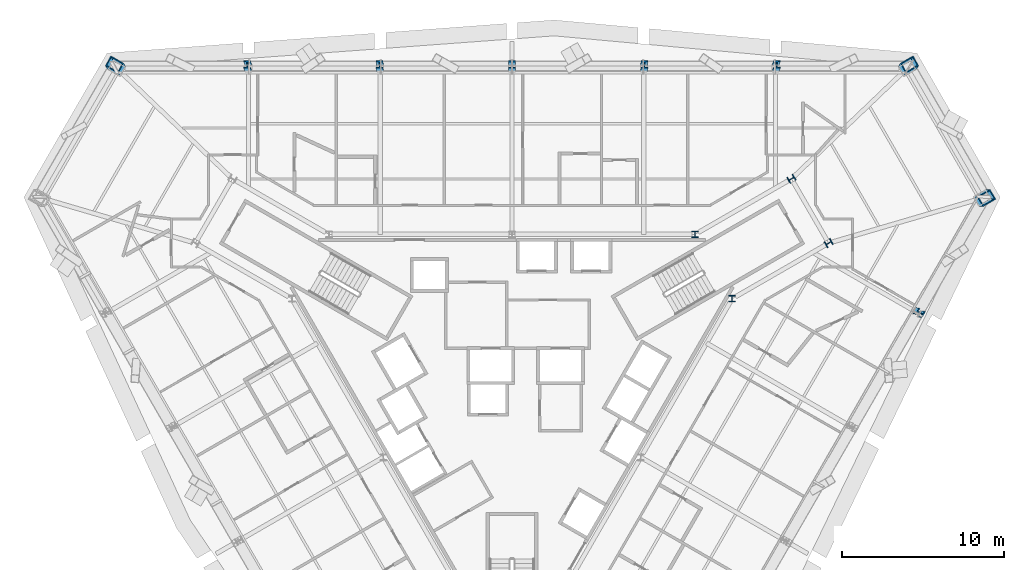
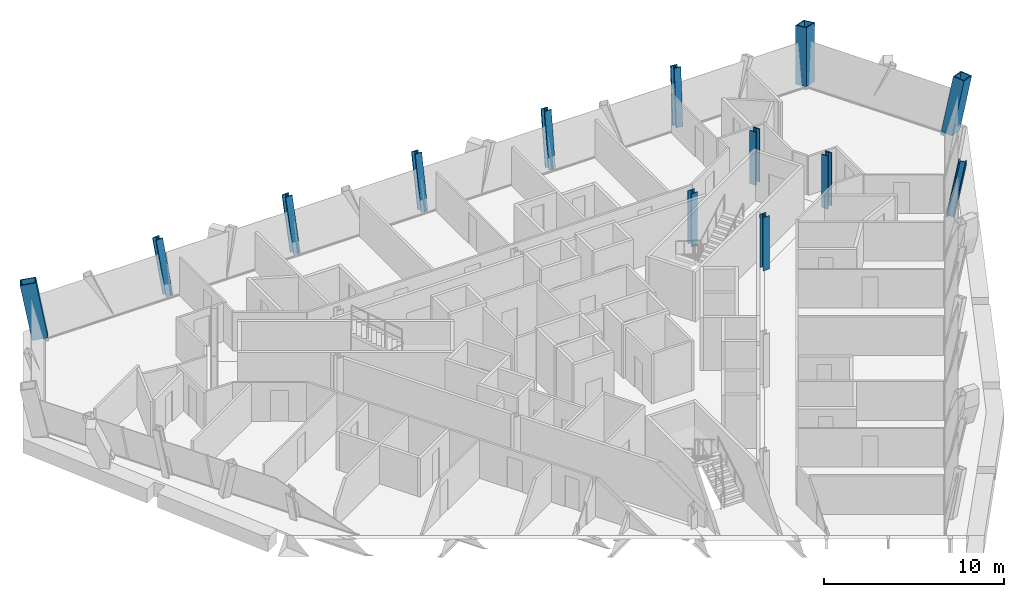
# One storey, part 2 of 14: 13 columns.
"""IFC4 building model written with IfcOpenShell, lengths in metres."""

import ifcopenshell
import ifcopenshell.guid

model = None  # the IFC model being written
_history = None  # IfcOwnerHistory: only IFC2X3 demands one
_inside = {}  # id of a spatial element -> (the spatial element, [elements in it])
_under = {}  # id of a project, library or spatial element -> (it, [spatial elements below it])
_declared = {}  # id of a project -> (the project, [libraries it declares])
_typed = {}  # id of a type object -> (the type object, [elements of that type])
_made_of = {}  # id of a material, layer set ... -> (it, [elements and type objects made of it])


def new_model(schema):
    """Start an empty IFC model of exactly this schema.

    Asked for "IFC4X3", IfcOpenShell would pick the latest addendum, in which some entities
    have other attributes; the version numbers below select the first issue.
    IFC2X3 requires an IfcOwnerHistory on every rooted entity: one is made here for all.
    """
    global model, _history
    if schema == "IFC4X3":
        model = ifcopenshell.file(schema_version=(4, 3, 0, 0))
    else:
        model = ifcopenshell.file(schema=schema)
    _inside.clear()
    _under.clear()
    _declared.clear()
    _typed.clear()
    _made_of.clear()
    _history = None
    if model.schema == "IFC2X3":
        org = make("IfcOrganization", Name="unknown")
        user = make(
            "IfcPersonAndOrganization",
            ThePerson=make("IfcPerson", FamilyName="unknown"),
            TheOrganization=org,
        )
        app = make(
            "IfcApplication",
            ApplicationDeveloper=org,
            Version="unknown",
            ApplicationFullName="unknown",
            ApplicationIdentifier="unknown",
        )
        _history = make(
            "IfcOwnerHistory",
            OwningUser=user,
            OwningApplication=app,
            ChangeAction="ADDED",
            CreationDate=0,
        )
    return model


def make(cls, **values):
    """One entity of the class cls with the attributes given. An attribute that is None is left unset."""
    return model.create_entity(
        cls, **{name: value for name, value in values.items() if value is not None}
    )


def rooted(cls, **values):
    """An entity with a GlobalId (a new one), such as an element, a storey or a relation."""
    return make(cls, GlobalId=ifcopenshell.guid.new(), OwnerHistory=_history, **values)


def si_unit(unit_type, name, prefix=None):
    """IfcSIUnit, for example si_unit("LENGTHUNIT", "METRE", prefix="MILLI")."""
    return make("IfcSIUnit", UnitType=unit_type, Prefix=prefix, Name=name)


def assignment(units):
    """IfcUnitAssignment: the units of a project."""
    return None if units is None else make("IfcUnitAssignment", Units=units)


def point(xyz):
    """IfcCartesianPoint."""
    return None if xyz is None else make("IfcCartesianPoint", Coordinates=xyz)


def direction(xyz):
    """IfcDirection."""
    return None if xyz is None else make("IfcDirection", DirectionRatios=xyz)


def frame(location, z_axis=None, x_axis=None):
    """IfcAxis2Placement3D, a coordinate frame: its origin and axes. An axis left out is left unset."""
    return make(
        "IfcAxis2Placement3D",
        Location=point(location),
        Axis=direction(z_axis),
        RefDirection=direction(x_axis),
    )


def frame_2d(location, x_axis=None):
    """IfcAxis2Placement2D, a coordinate frame in the plane: its origin and x axis."""
    return make(
        "IfcAxis2Placement2D", Location=point(location), RefDirection=direction(x_axis)
    )


def origin():
    """The frame at (0, 0, 0) with its axes left unset."""
    return frame((0.0, 0.0, 0.0))


def origin_2d():
    """The frame at (0, 0) in the plane with its x axis left unset."""
    return frame_2d((0.0, 0.0))


def place(relative_to, where):
    """IfcLocalPlacement: puts the frame where relative to a parent placement (None: the world)."""
    return make(
        "IfcLocalPlacement", PlacementRelTo=relative_to, RelativePlacement=where
    )


def context(
    kind, dimensions, precision=None, world=None, true_north=None, identifier=None
):
    """IfcGeometricRepresentationContext, for example the 3D "Model" context."""
    return make(
        "IfcGeometricRepresentationContext",
        ContextIdentifier=identifier,
        ContextType=kind,
        CoordinateSpaceDimension=dimensions,
        Precision=precision,
        WorldCoordinateSystem=world,
        TrueNorth=true_north,
    )


def subcontext(parent, identifier, kind, view, scale=None):
    """IfcGeometricRepresentationSubContext, for example "Body" below "Model"."""
    return make(
        "IfcGeometricRepresentationSubContext",
        ContextIdentifier=identifier,
        ContextType=kind,
        ParentContext=parent,
        TargetScale=scale,
        TargetView=view,
    )


def project(units=None, contexts=None):
    """IfcProject with its units and contexts."""
    return rooted(
        "IfcProject",
        Name="project",
        RepresentationContexts=contexts,
        UnitsInContext=assignment(units),
    )


def spatial(cls, under=None, at=None, **own):
    """A site, building, storey or space (cls), placed at a placement, below another one or the project."""
    s = rooted(cls, ObjectPlacement=at, **own)
    if under is not None:
        _under.setdefault(under.id(), (under, []))[1].append(s)
    return s


def profile(cls, at=None, kind="AREA", **sizes):
    """A parametric profile (cls). Its sizes go by their IFC names, for example OverallWidth=200.0."""
    return make(cls, ProfileType=kind, Position=at, **sizes)


def hollow_rectangle(**sizes):
    """IfcRectangleHollowProfileDef."""
    return profile("IfcRectangleHollowProfileDef", **sizes)


def i_section(**sizes):
    """IfcIShapeProfileDef."""
    return profile("IfcIShapeProfileDef", **sizes)


def extrude(swept, where, along, depth):
    """IfcExtrudedAreaSolid: the profile swept, set in the frame where, extruded along a direction by depth."""
    return make(
        "IfcExtrudedAreaSolid",
        SweptArea=swept,
        Position=where,
        ExtrudedDirection=direction(along),
        Depth=depth,
    )


def shape(context_of_items, identifier, shape_type, items):
    """IfcShapeRepresentation: the items that make up one representation, for example the "Body"."""
    return make(
        "IfcShapeRepresentation",
        ContextOfItems=context_of_items,
        RepresentationIdentifier=identifier,
        RepresentationType=shape_type,
        Items=items,
    )


def material(Name=None, Category=None):
    """IfcMaterial."""
    return make("IfcMaterial", Name=Name, Category=Category)


def material_profile(
    of_material, cross_section, Name=None, Category=None, Priority=None
):
    """IfcMaterialProfile: a cross section and its material."""
    return make(
        "IfcMaterialProfile",
        Name=Name,
        Material=of_material,
        Profile=cross_section,
        Priority=Priority,
        Category=Category,
    )


def profile_set(profiles, Name=None, composite=None):
    """IfcMaterialProfileSet."""
    return make(
        "IfcMaterialProfileSet",
        Name=Name,
        MaterialProfiles=profiles,
        CompositeProfile=composite,
    )


def made_of(thing, what):
    """Note that an element or type object is made of a material, layer set ...; save() writes the relation."""
    if what is not None:
        _made_of.setdefault(what.id(), (what, []))[1].append(thing)
    return thing


def type_object(cls, material=None, **own):
    """A type object (cls), such as IfcWallType, which elements share."""
    return made_of(rooted(cls, **own), material)


def element(
    cls,
    number,
    at=None,
    inside=None,
    cuts=None,
    type_object=None,
    material=None,
    context=None,
    identifier="Body",
    shape_type=None,
    held_by="IfcProductDefinitionShape",
    body=None,
    shapes=None,
    **own,
):
    """One element of the class cls, such as IfcWall. Its Tag is "e" and its number.

    at: its placement. inside: the storey or other place that contains it. cuts: it is an
    opening in that element (IfcRelVoidsElement). A single representation is given by context,
    identifier, shape_type and body (its items); several are given by shapes. held_by: the class
    of the entity that holds the representations. save() writes the other relations.
    """
    e = rooted(cls, Tag="e%d" % number, ObjectPlacement=at, **own)
    if body is not None:
        shapes = [shape(context, identifier, shape_type, body)]
    if shapes is not None:
        e.Representation = make(held_by, Representations=shapes)
    if inside is not None:
        _inside.setdefault(inside.id(), (inside, []))[1].append(e)
    if cuts is not None:
        rooted(
            "IfcRelVoidsElement", RelatingBuildingElement=cuts, RelatedOpeningElement=e
        )
    if type_object is not None:
        _typed.setdefault(type_object.id(), (type_object, []))[1].append(e)
    return made_of(e, material)


def aggregate(whole, parts):
    """IfcRelAggregates: a whole, such as a stair, and the parts it consists of."""
    return rooted("IfcRelAggregates", RelatingObject=whole, RelatedObjects=parts)


def save(model, path):
    """Write the relations noted so far, then the file.

    IfcRelAggregates (storeys below a building ...), IfcRelContainedInSpatialStructure (elements
    in a storey), IfcRelDefinesByType, IfcRelAssociatesMaterial and IfcRelDeclares: one each for
    every whole, place, type object, material and project.
    """
    for whole, parts in _under.values():
        aggregate(whole, parts)
    for where, things in _inside.values():
        rooted(
            "IfcRelContainedInSpatialStructure",
            RelatedElements=things,
            RelatingStructure=where,
        )
    for kind, things in _typed.values():
        rooted("IfcRelDefinesByType", RelatedObjects=things, RelatingType=kind)
    for what, things in _made_of.values():
        rooted("IfcRelAssociatesMaterial", RelatedObjects=things, RelatingMaterial=what)
    for by, libraries in _declared.values():
        rooted("IfcRelDeclares", RelatingContext=by, RelatedDefinitions=libraries)
    model.write(path)


model = new_model("IFC4")

# Units and contexts
model_context = context("Model", 3, precision=1e-05, world=origin(), true_north=direction((0.0, 1.0)))
body_context = subcontext(model_context, "Body", "Model", "MODEL_VIEW")
ifc_project = project(units=[si_unit("LENGTHUNIT", "METRE"), si_unit("AREAUNIT", "SQUARE_METRE"), si_unit("VOLUMEUNIT", "CUBIC_METRE"), si_unit("PLANEANGLEUNIT", "RADIAN"), si_unit("MASSUNIT", "GRAM", prefix="KILO")], contexts=[model_context])

# Site, building, storey
site_placement = place(None, origin())
site = spatial("IfcSite", under=ifc_project, at=site_placement, CompositionType="ELEMENT")
building_placement = place(site_placement, origin())
building = spatial("IfcBuilding", under=site, at=building_placement, Name="Verrane Prism Tower", CompositionType="ELEMENT")
storey_placement = place(building_placement, frame((0.0, 0.0, 128.800048828125)))
storey = spatial("IfcBuildingStorey", under=building, at=storey_placement, Name="L31", CompositionType="ELEMENT", Elevation=128.800048828125)

# Columns
ifc_material_1 = material(Name="Steel A992", Category="steel")
ifc_material_profile_1 = material_profile(ifc_material_1, i_section(OverallWidth=0.411376953125, OverallDepth=0.434326171875, WebThickness=0.035888671875, FlangeThickness=0.057373046875, FilletRadius=0.01513671875, at=origin_2d()), Name="W14x311")
ifc_profile_set_1 = profile_set([ifc_material_profile_1], Name="Steel A992")
column_type_1 = type_object("IfcColumnType", Name="Core corner column W14x311", PredefinedType="COLUMN", material=ifc_profile_set_1)
for number, where, z_axis, x_axis, name in (
    (1, (19.60009765625, 8.659912109375, 0.0), (0.0, 0.0, 1.0), (0.5, -0.866025403784, 0.0), "Core corner column CK-NEm L31"),
    (2, (17.300048828125, 12.639892578125, 0.0), (0.0, 0.0, 1.0), (0.5, -0.866025403784, 0.0), "Core corner column CK-NEp L31"),
):
    element("IfcColumn", number, at=place(storey_placement, frame(where, z_axis=z_axis, x_axis=x_axis)), inside=storey, type_object=column_type_1, Name=name, PredefinedType="COLUMN", context=body_context, shape_type="SweptSolid", body=[
        extrude(i_section(OverallWidth=0.411376953125, OverallDepth=0.434326171875, WebThickness=0.035888671875, FlangeThickness=0.057373046875, FilletRadius=0.01513671875, at=origin_2d()), origin(), (0.0, 0.0, 1.0), 3.599853515625),
    ])
ifc_material_2 = material(Name="Steel A992", Category="steel")
ifc_material_profile_2 = material_profile(ifc_material_2, i_section(OverallWidth=0.4013671875, OverallDepth=0.398681640625, WebThickness=0.02490234375, FlangeThickness=0.03955078125, FilletRadius=0.01513671875, at=origin_2d()), Name="W14x211")
ifc_profile_set_2 = profile_set([ifc_material_profile_2], Name="Steel A992")
column_type_2 = type_object("IfcColumnType", Name="Core side column W14x211", PredefinedType="COLUMN", material=ifc_profile_set_2)
for number, where, z_axis, x_axis, name in (
    (3, (13.6298828125, 5.219970703125, 0.0), (0.0, 0.0, 1.0), (1.0, 0.0, 0.0), "Core side column CC-NEm L31"),
    (4, (11.330078125, 9.199951171875, 0.0), (0.0, 0.0, 1.0), (1.0, 0.0, 0.0), "Core side column CC-NEp L31"),
):
    element("IfcColumn", number, at=place(storey_placement, frame(where, z_axis=z_axis, x_axis=x_axis)), inside=storey, type_object=column_type_2, Name=name, PredefinedType="COLUMN", context=body_context, shape_type="SweptSolid", body=[
        extrude(i_section(OverallWidth=0.4013671875, OverallDepth=0.398681640625, WebThickness=0.02490234375, FlangeThickness=0.03955078125, FilletRadius=0.01513671875, at=origin_2d()), origin(), (0.0, 0.0, 1.0), 3.599853515625),
    ])
ifc_material_3 = material(Name="Steel A572 Grade 50", Category="steel")
ifc_material_profile_3 = material_profile(ifc_material_3, hollow_rectangle(XDim=0.699951171875, YDim=0.89990234375, WallThickness=0.06494140625, at=origin_2d()), Name="BOX 900x700x65")
ifc_profile_set_3 = profile_set([ifc_material_profile_3], Name="Steel A572 Grade 50")
column_type_3 = type_object("IfcColumnType", Name="Megacolumn BOX 900x700x65", PredefinedType="COLUMN", material=ifc_profile_set_3)
for number, where, z_axis, x_axis, name in (
    (5, (24.478515625, 19.504638671875, 0.074951171875), (0.111147334109, 0.189640824097, 0.975542222539), (0.49667863065, -0.860838994328, 0.110754519997), "Megacolumn MC-NE.b L31"),
    (6, (-24.478515625, 19.504638671875, 0.074951171875), (-0.111147334109, 0.189640824097, 0.975542222539), (0.49667863065, 0.860838994328, -0.110754519997), "Megacolumn MC-NW.a L31"),
):
    element("IfcColumn", number, at=place(storey_placement, frame(where, z_axis=z_axis, x_axis=x_axis)), inside=storey, type_object=column_type_3, Name=name, PredefinedType="COLUMN", context=body_context, shape_type="SweptSolid", body=[
        extrude(hollow_rectangle(XDim=0.699951171875, YDim=0.89990234375, WallThickness=0.06494140625, at=origin_2d()), origin(), (0.0, 0.0, 1.0), 3.536376953125),
    ])
column_1_placement = place(storey_placement, frame((29.126953125, 11.449951171875, 0.074951171875), z_axis=(0.219480980807, 0.0, 0.975616778794), x_axis=(0.496869692208, -0.860596286786, -0.111778978949)))
element("IfcColumn", 7, at=column_1_placement, inside=storey, type_object=column_type_3, Name="Megacolumn MC-NE.a L31", PredefinedType="COLUMN", context=body_context, shape_type="SweptSolid", body=[
    extrude(hollow_rectangle(XDim=0.699951171875, YDim=0.89990234375, WallThickness=0.06494140625, at=origin_2d()), origin(), (0.0, 0.0, 1.0), 3.5361328125),
])
ifc_material_4 = material(Name="Steel A992", Category="steel")
ifc_material_profile_4 = material_profile(ifc_material_4, i_section(OverallWidth=0.419189453125, OverallDepth=0.45458984375, WebThickness=0.042236328125, FlangeThickness=0.067626953125, FilletRadius=0.01513671875, at=origin_2d()), Name="W14x370")
ifc_profile_set_4 = profile_set([ifc_material_profile_4], Name="Steel A992")
column_type_4 = type_object("IfcColumnType", Name="Perimeter column W14x370", PredefinedType="COLUMN", material=ifc_profile_set_4)
column_2_placement = place(storey_placement, frame((16.31298828125, 19.497802734375, 0.0400390625), z_axis=(0.073399283301, 0.190322100919, 0.978973974686), x_axis=(0.997200375036, 5.0957711e-05, -0.074775727554)))
element("IfcColumn", 8, at=column_2_placement, inside=storey, type_object=column_type_4, Name="Perimeter column PC-N1 L31", PredefinedType="COLUMN", context=body_context, shape_type="SweptSolid", body=[
    extrude(i_section(OverallWidth=0.419189453125, OverallDepth=0.45458984375, WebThickness=0.042236328125, FlangeThickness=0.067626953125, FilletRadius=0.01513671875, at=origin_2d()), origin(), (0.0, 0.0, 1.0), 3.595703125),
])
column_3_placement = place(storey_placement, frame((8.161376953125, 19.497802734375, 0.0400390625), z_axis=(0.035448987622, 0.190716914211, 0.981004805243), x_axis=(0.999348805, -0.000151262894, -0.036082448156)))
element("IfcColumn", 9, at=column_3_placement, inside=storey, type_object=column_type_4, Name="Perimeter column PC-N2 L31", PredefinedType="COLUMN", context=body_context, shape_type="SweptSolid", body=[
    extrude(i_section(OverallWidth=0.419189453125, OverallDepth=0.45458984375, WebThickness=0.042236328125, FlangeThickness=0.067626953125, FilletRadius=0.01513671875, at=origin_2d()), origin(), (0.0, 0.0, 1.0), 3.588134765625),
])
column_4_placement = place(storey_placement, frame((0.0, 19.496826171875, 0.034912109375), z_axis=(0.0, 0.190838767799, 0.981621395806), x_axis=(1.0, 0.0, 0.0)))
element("IfcColumn", 10, at=column_4_placement, inside=storey, type_object=column_type_4, Name="Perimeter column PC-N3 L31", PredefinedType="COLUMN", context=body_context, shape_type="SweptSolid", body=[
    extrude(i_section(OverallWidth=0.419189453125, OverallDepth=0.45458984375, WebThickness=0.042236328125, FlangeThickness=0.067626953125, FilletRadius=0.01513671875, at=origin_2d()), origin(), (0.0, 0.0, 1.0), 3.59619140625),
])
column_5_placement = place(storey_placement, frame((-8.161376953125, 19.497802734375, 0.0400390625), z_axis=(-0.035448987622, 0.190716914211, 0.981004805243), x_axis=(0.999348805, 0.000151262894, 0.036082448156)))
element("IfcColumn", 11, at=column_5_placement, inside=storey, type_object=column_type_4, Name="Perimeter column PC-N4 L31", PredefinedType="COLUMN", context=body_context, shape_type="SweptSolid", body=[
    extrude(i_section(OverallWidth=0.419189453125, OverallDepth=0.45458984375, WebThickness=0.042236328125, FlangeThickness=0.067626953125, FilletRadius=0.01513671875, at=origin_2d()), origin(), (0.0, 0.0, 1.0), 3.588134765625),
])
column_6_placement = place(storey_placement, frame((-16.31298828125, 19.497802734375, 0.0400390625), z_axis=(-0.073399283301, 0.190322100919, 0.978973974686), x_axis=(0.997200375036, -5.0957711e-05, 0.074775727554)))
element("IfcColumn", 12, at=column_6_placement, inside=storey, type_object=column_type_4, Name="Perimeter column PC-N5 L31", PredefinedType="COLUMN", context=body_context, shape_type="SweptSolid", body=[
    extrude(i_section(OverallWidth=0.419189453125, OverallDepth=0.45458984375, WebThickness=0.042236328125, FlangeThickness=0.067626953125, FilletRadius=0.01513671875, at=origin_2d()), origin(), (0.0, 0.0, 1.0), 3.595703125),
])
column_7_placement = place(storey_placement, frame((25.048095703125, 4.37890625, 0.0400390625), z_axis=(0.201275064079, -0.029946795971, 0.979076880531), x_axis=(-0.498664123801, -0.863447944319, 0.076103476176)))
element("IfcColumn", 13, at=column_7_placement, inside=storey, type_object=column_type_4, Name="Perimeter column PC-SE5 L31", PredefinedType="COLUMN", context=body_context, shape_type="SweptSolid", body=[
    extrude(i_section(OverallWidth=0.419189453125, OverallDepth=0.45458984375, WebThickness=0.042236328125, FlangeThickness=0.067626953125, FilletRadius=0.01513671875, at=origin_2d()), origin(), (0.0, 0.0, 1.0), 3.59521484375),
])

save(model, "model.ifc")
